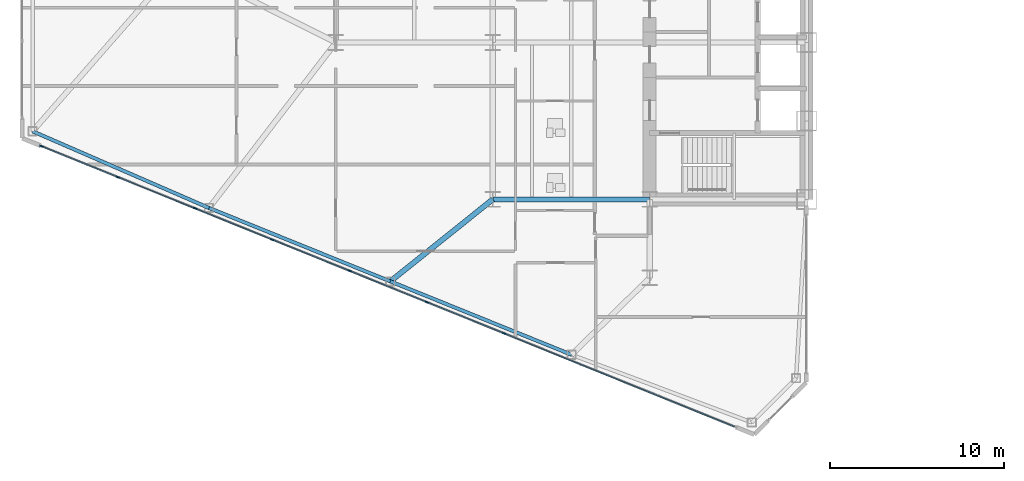
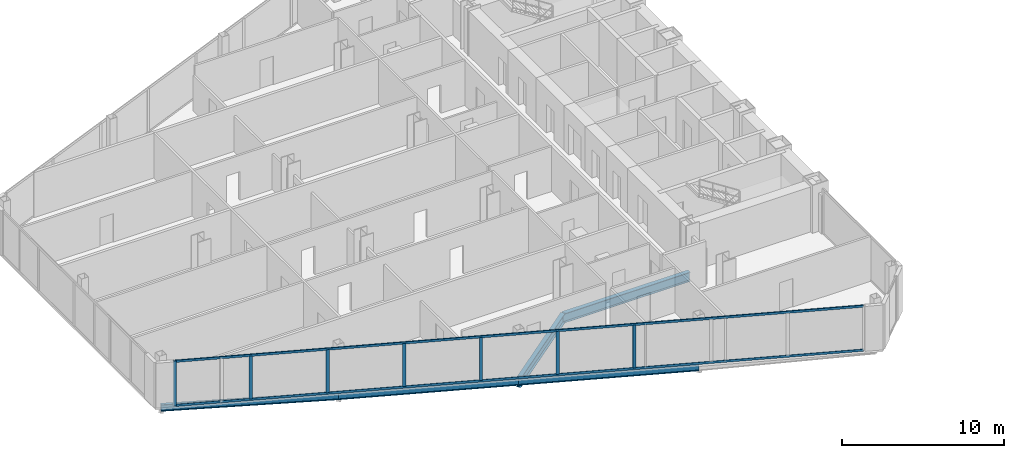
# One storey, part 3 of 25: 9 members, 5 beams, 1 element without a shape of its own.
"""IFC4 building model written with IfcOpenShell, lengths in metres."""

import ifcopenshell
import ifcopenshell.guid

model = None  # the IFC model being written
_history = None  # IfcOwnerHistory: only IFC2X3 demands one
_inside = {}  # id of a spatial element -> (the spatial element, [elements in it])
_under = {}  # id of a project, library or spatial element -> (it, [spatial elements below it])
_declared = {}  # id of a project -> (the project, [libraries it declares])
_typed = {}  # id of a type object -> (the type object, [elements of that type])
_made_of = {}  # id of a material, layer set ... -> (it, [elements and type objects made of it])


def new_model(schema):
    """Start an empty IFC model of exactly this schema.

    Asked for "IFC4X3", IfcOpenShell would pick the latest addendum, in which some entities
    have other attributes; the version numbers below select the first issue.
    IFC2X3 requires an IfcOwnerHistory on every rooted entity: one is made here for all.
    """
    global model, _history
    if schema == "IFC4X3":
        model = ifcopenshell.file(schema_version=(4, 3, 0, 0))
    else:
        model = ifcopenshell.file(schema=schema)
    _inside.clear()
    _under.clear()
    _declared.clear()
    _typed.clear()
    _made_of.clear()
    _history = None
    if model.schema == "IFC2X3":
        org = make("IfcOrganization", Name="unknown")
        user = make(
            "IfcPersonAndOrganization",
            ThePerson=make("IfcPerson", FamilyName="unknown"),
            TheOrganization=org,
        )
        app = make(
            "IfcApplication",
            ApplicationDeveloper=org,
            Version="unknown",
            ApplicationFullName="unknown",
            ApplicationIdentifier="unknown",
        )
        _history = make(
            "IfcOwnerHistory",
            OwningUser=user,
            OwningApplication=app,
            ChangeAction="ADDED",
            CreationDate=0,
        )
    return model


def make(cls, **values):
    """One entity of the class cls with the attributes given. An attribute that is None is left unset."""
    return model.create_entity(
        cls, **{name: value for name, value in values.items() if value is not None}
    )


def rooted(cls, **values):
    """An entity with a GlobalId (a new one), such as an element, a storey or a relation."""
    return make(cls, GlobalId=ifcopenshell.guid.new(), OwnerHistory=_history, **values)


def si_unit(unit_type, name, prefix=None):
    """IfcSIUnit, for example si_unit("LENGTHUNIT", "METRE", prefix="MILLI")."""
    return make("IfcSIUnit", UnitType=unit_type, Prefix=prefix, Name=name)


def assignment(units):
    """IfcUnitAssignment: the units of a project."""
    return None if units is None else make("IfcUnitAssignment", Units=units)


def point(xyz):
    """IfcCartesianPoint."""
    return None if xyz is None else make("IfcCartesianPoint", Coordinates=xyz)


def direction(xyz):
    """IfcDirection."""
    return None if xyz is None else make("IfcDirection", DirectionRatios=xyz)


def frame(location, z_axis=None, x_axis=None):
    """IfcAxis2Placement3D, a coordinate frame: its origin and axes. An axis left out is left unset."""
    return make(
        "IfcAxis2Placement3D",
        Location=point(location),
        Axis=direction(z_axis),
        RefDirection=direction(x_axis),
    )


def frame_2d(location, x_axis=None):
    """IfcAxis2Placement2D, a coordinate frame in the plane: its origin and x axis."""
    return make(
        "IfcAxis2Placement2D", Location=point(location), RefDirection=direction(x_axis)
    )


def origin():
    """The frame at (0, 0, 0) with its axes left unset."""
    return frame((0.0, 0.0, 0.0))


def origin_2d():
    """The frame at (0, 0) in the plane with its x axis left unset."""
    return frame_2d((0.0, 0.0))


def place(relative_to, where):
    """IfcLocalPlacement: puts the frame where relative to a parent placement (None: the world)."""
    return make(
        "IfcLocalPlacement", PlacementRelTo=relative_to, RelativePlacement=where
    )


def context(
    kind, dimensions, precision=None, world=None, true_north=None, identifier=None
):
    """IfcGeometricRepresentationContext, for example the 3D "Model" context."""
    return make(
        "IfcGeometricRepresentationContext",
        ContextIdentifier=identifier,
        ContextType=kind,
        CoordinateSpaceDimension=dimensions,
        Precision=precision,
        WorldCoordinateSystem=world,
        TrueNorth=true_north,
    )


def subcontext(parent, identifier, kind, view, scale=None):
    """IfcGeometricRepresentationSubContext, for example "Body" below "Model"."""
    return make(
        "IfcGeometricRepresentationSubContext",
        ContextIdentifier=identifier,
        ContextType=kind,
        ParentContext=parent,
        TargetScale=scale,
        TargetView=view,
    )


def project(units=None, contexts=None):
    """IfcProject with its units and contexts."""
    return rooted(
        "IfcProject",
        Name="project",
        RepresentationContexts=contexts,
        UnitsInContext=assignment(units),
    )


def spatial(cls, under=None, at=None, **own):
    """A site, building, storey or space (cls), placed at a placement, below another one or the project."""
    s = rooted(cls, ObjectPlacement=at, **own)
    if under is not None:
        _under.setdefault(under.id(), (under, []))[1].append(s)
    return s


def profile(cls, at=None, kind="AREA", **sizes):
    """A parametric profile (cls). Its sizes go by their IFC names, for example OverallWidth=200.0."""
    return make(cls, ProfileType=kind, Position=at, **sizes)


def rectangle(**sizes):
    """IfcRectangleProfileDef."""
    return profile("IfcRectangleProfileDef", **sizes)


def i_section(**sizes):
    """IfcIShapeProfileDef."""
    return profile("IfcIShapeProfileDef", **sizes)


def extrude(swept, where, along, depth):
    """IfcExtrudedAreaSolid: the profile swept, set in the frame where, extruded along a direction by depth."""
    return make(
        "IfcExtrudedAreaSolid",
        SweptArea=swept,
        Position=where,
        ExtrudedDirection=direction(along),
        Depth=depth,
    )


def shape(context_of_items, identifier, shape_type, items):
    """IfcShapeRepresentation: the items that make up one representation, for example the "Body"."""
    return make(
        "IfcShapeRepresentation",
        ContextOfItems=context_of_items,
        RepresentationIdentifier=identifier,
        RepresentationType=shape_type,
        Items=items,
    )


def source(mapping_origin, context_of_items, identifier, shape_type, items):
    """IfcRepresentationMap: a shape defined once, which mapped items show again and again."""
    return make(
        "IfcRepresentationMap",
        MappingOrigin=mapping_origin,
        MappedRepresentation=shape(context_of_items, identifier, shape_type, items),
    )


def transform(
    local_origin,
    x_axis=None,
    y_axis=None,
    z_axis=None,
    scale=None,
    scale2=None,
    scale3=None,
    uniform=True,
):
    """IfcCartesianTransformationOperator3D, or its non-uniform kind. x_axis, y_axis, z_axis: its Axis1, 2, 3."""
    if uniform:
        return make(
            "IfcCartesianTransformationOperator3D",
            Axis1=direction(x_axis),
            Axis2=direction(y_axis),
            LocalOrigin=point(local_origin),
            Scale=scale,
            Axis3=direction(z_axis),
        )
    return make(
        "IfcCartesianTransformationOperator3DnonUniform",
        Axis1=direction(x_axis),
        Axis2=direction(y_axis),
        LocalOrigin=point(local_origin),
        Scale=scale,
        Axis3=direction(z_axis),
        Scale2=scale2,
        Scale3=scale3,
    )


def mapped(mapping_source, mapping_target):
    """IfcMappedItem: shows the shape of a source again, moved by a transform."""
    return make(
        "IfcMappedItem", MappingSource=mapping_source, MappingTarget=mapping_target
    )


def material(Name=None, Category=None):
    """IfcMaterial."""
    return make("IfcMaterial", Name=Name, Category=Category)


def layer(
    of_material, thickness, ventilated=None, Name=None, Category=None, Priority=None
):
    """IfcMaterialLayer: one layer of a wall or slab, of a material (None: an air gap)."""
    return make(
        "IfcMaterialLayer",
        Material=of_material,
        LayerThickness=thickness,
        IsVentilated=ventilated,
        Name=Name,
        Category=Category,
        Priority=Priority,
    )


def layer_set(layers, Name=None):
    """IfcMaterialLayerSet."""
    return make("IfcMaterialLayerSet", MaterialLayers=layers, LayerSetName=Name)


def material_profile(
    of_material, cross_section, Name=None, Category=None, Priority=None
):
    """IfcMaterialProfile: a cross section and its material."""
    return make(
        "IfcMaterialProfile",
        Name=Name,
        Material=of_material,
        Profile=cross_section,
        Priority=Priority,
        Category=Category,
    )


def profile_set(profiles, Name=None, composite=None):
    """IfcMaterialProfileSet."""
    return make(
        "IfcMaterialProfileSet",
        Name=Name,
        MaterialProfiles=profiles,
        CompositeProfile=composite,
    )


def made_of(thing, what):
    """Note that an element or type object is made of a material, layer set ...; save() writes the relation."""
    if what is not None:
        _made_of.setdefault(what.id(), (what, []))[1].append(thing)
    return thing


def type_object(cls, material=None, **own):
    """A type object (cls), such as IfcWallType, which elements share."""
    return made_of(rooted(cls, **own), material)


def type_shapes(of_type, sources):
    """Give a type object the sources (RepresentationMaps) that its elements show as mapped items."""
    of_type.RepresentationMaps = sources


def element(
    cls,
    number,
    at=None,
    inside=None,
    cuts=None,
    type_object=None,
    material=None,
    context=None,
    identifier="Body",
    shape_type=None,
    held_by="IfcProductDefinitionShape",
    body=None,
    shapes=None,
    **own,
):
    """One element of the class cls, such as IfcWall. Its Tag is "e" and its number.

    at: its placement. inside: the storey or other place that contains it. cuts: it is an
    opening in that element (IfcRelVoidsElement). A single representation is given by context,
    identifier, shape_type and body (its items); several are given by shapes. held_by: the class
    of the entity that holds the representations. save() writes the other relations.
    """
    e = rooted(cls, Tag="e%d" % number, ObjectPlacement=at, **own)
    if body is not None:
        shapes = [shape(context, identifier, shape_type, body)]
    if shapes is not None:
        e.Representation = make(held_by, Representations=shapes)
    if inside is not None:
        _inside.setdefault(inside.id(), (inside, []))[1].append(e)
    if cuts is not None:
        rooted(
            "IfcRelVoidsElement", RelatingBuildingElement=cuts, RelatedOpeningElement=e
        )
    if type_object is not None:
        _typed.setdefault(type_object.id(), (type_object, []))[1].append(e)
    return made_of(e, material)


def aggregate(whole, parts):
    """IfcRelAggregates: a whole, such as a stair, and the parts it consists of."""
    return rooted("IfcRelAggregates", RelatingObject=whole, RelatedObjects=parts)


def save(model, path):
    """Write the relations noted so far, then the file.

    IfcRelAggregates (storeys below a building ...), IfcRelContainedInSpatialStructure (elements
    in a storey), IfcRelDefinesByType, IfcRelAssociatesMaterial and IfcRelDeclares: one each for
    every whole, place, type object, material and project.
    """
    for whole, parts in _under.values():
        aggregate(whole, parts)
    for where, things in _inside.values():
        rooted(
            "IfcRelContainedInSpatialStructure",
            RelatedElements=things,
            RelatingStructure=where,
        )
    for kind, things in _typed.values():
        rooted("IfcRelDefinesByType", RelatedObjects=things, RelatingType=kind)
    for what, things in _made_of.values():
        rooted("IfcRelAssociatesMaterial", RelatedObjects=things, RelatingMaterial=what)
    for by, libraries in _declared.values():
        rooted("IfcRelDeclares", RelatingContext=by, RelatedDefinitions=libraries)
    model.write(path)


model = new_model("IFC4")

# Units and contexts
model_context = context("Model", 3, precision=1e-05, world=origin(), true_north=direction((0.0, 1.0)))
body_context = subcontext(model_context, "Body", "Model", "MODEL_VIEW")
ifc_project = project(units=[si_unit("LENGTHUNIT", "METRE"), si_unit("AREAUNIT", "SQUARE_METRE"), si_unit("VOLUMEUNIT", "CUBIC_METRE"), si_unit("PLANEANGLEUNIT", "RADIAN"), si_unit("MASSUNIT", "GRAM", prefix="KILO")], contexts=[model_context])

# Site, building, storey
site_placement = place(None, origin())
site = spatial("IfcSite", under=ifc_project, at=site_placement, CompositionType="ELEMENT")
building_placement = place(site_placement, origin())
building = spatial("IfcBuilding", under=site, at=building_placement, Name="Seokmaru Belvedere", CompositionType="ELEMENT")
storey_placement = place(building_placement, frame((0.0, 0.0, 29.699951171875)))
storey = spatial("IfcBuildingStorey", under=building, at=storey_placement, Name="L07", CompositionType="ELEMENT", Elevation=29.699951171875)

# Beams
ifc_material_1 = material(Name="Steel SM355 (355 MPa)", Category="steel")
ifc_material_profile_1 = material_profile(ifc_material_1, i_section(OverallWidth=0.300048828125, OverallDepth=0.699951171875, WebThickness=0.012939453125, FlangeThickness=0.02392578125, at=origin_2d()), Name="H-700x300x13x24")
ifc_profile_set_1 = profile_set([ifc_material_profile_1], Name="Steel SM355 (355 MPa)")
beam_type_1 = type_object("IfcBeamType", Name="Primary Floor Girder H-700", PredefinedType="BEAM", material=ifc_profile_set_1)
shared_shape_1 = source(origin(), body_context, "Body", "SweptSolid", [
    extrude(i_section(OverallWidth=0.300048828125, OverallDepth=0.699951171875, WebThickness=0.012939453125, FlangeThickness=0.02392578125, at=origin_2d()), origin(), (0.0, 0.0, 1.0), 9.0),
])
beam_1_placement = place(storey_placement, frame((-45.5, -13.5, -0.570068359375), z_axis=(1.0, 0.0, 0.0), x_axis=(0.0, 1.0, 0.0)))
element("IfcBeam", 1, at=beam_1_placement, inside=storey, type_object=beam_type_1, Name="L07 W Wing Primary Girder 1", PredefinedType="BEAM", context=body_context, shape_type="MappedRepresentation", body=[
    mapped(shared_shape_1, transform((0.0, 0.0, 0.0), scale=1.0)),
])
ifc_material_profile_2 = material_profile(ifc_material_1, i_section(OverallWidth=0.199951171875, OverallDepth=0.5, WebThickness=0.010009765625, FlangeThickness=0.01611328125, at=origin_2d()), Name="H-500x200x10x16")
ifc_profile_set_2 = profile_set([ifc_material_profile_2], Name="Steel SM355 (355 MPa)")
beam_type_2 = type_object("IfcBeamType", Name="Perimeter Spandrel Beam H-500", PredefinedType="SPANDREL", material=ifc_profile_set_2)
shared_shape_2 = source(origin(), body_context, "Body", "SweptSolid", [
    extrude(i_section(OverallWidth=0.199951171875, OverallDepth=0.5, WebThickness=0.010009765625, FlangeThickness=0.01611328125, at=origin_2d()), origin(), (0.0, 0.0, 1.0), 11.220703125),
])
for number, where, z_axis, x_axis, name in (
    (2, (-40.977294921875, -22.4140625, -0.469970703125), (-0.926944290816, 0.375198989503, 0.0), (-0.375198989503, -0.926944290816, 0.0), "L07 W Faceted Flank Spandrel S-2"),
    (3, (-51.378173828125, -18.2041015625, -0.469970703125), (-0.926944290816, 0.375198989503, 0.0), (-0.375198989503, -0.926944290816, 0.0), "L07 W Faceted Flank Spandrel S-3"),
):
    element("IfcBeam", number, at=place(storey_placement, frame(where, z_axis=z_axis, x_axis=x_axis)), inside=storey, type_object=beam_type_2, Name=name, PredefinedType="SPANDREL", context=body_context, shape_type="MappedRepresentation", body=[
        mapped(shared_shape_2, transform((0.0, 0.0, 0.0), scale=1.0)),
    ])
shared_shape_3 = source(origin(), body_context, "Body", "SweptSolid", [
    extrude(i_section(OverallWidth=0.199951171875, OverallDepth=0.5, WebThickness=0.010009765625, FlangeThickness=0.01611328125, at=origin_2d()), origin(), (0.0, 0.0, 1.0), 11.035400390625),
])
type_shapes(beam_type_2, [shared_shape_2, shared_shape_3])
beam_2_placement = place(storey_placement, frame((-61.779052734375, -13.994140625, -0.469970703125), z_axis=(-0.917134058682, 0.398578873507, 0.0), x_axis=(-0.398578873507, -0.917134058682, 0.0)))
element("IfcBeam", 4, at=beam_2_placement, inside=storey, type_object=beam_type_2, Name="L07 W Faceted Flank Spandrel S-4", PredefinedType="SPANDREL", context=body_context, shape_type="MappedRepresentation", body=[
    mapped(shared_shape_3, transform((0.0, 0.0, 0.0), scale=1.0)),
])
shared_shape_4 = source(origin(), body_context, "Body", "SweptSolid", [
    extrude(i_section(OverallWidth=0.300048828125, OverallDepth=0.699951171875, WebThickness=0.012939453125, FlangeThickness=0.02392578125, at=origin_2d()), origin(), (0.0, 0.0, 1.0), 7.52880859375),
])
type_shapes(beam_type_1, [shared_shape_1, shared_shape_4])
beam_3_placement = place(storey_placement, frame((-51.378173828125, -18.2041015625, -0.570068359375), z_axis=(0.780767560736, 0.624821587418, 0.0), x_axis=(-0.624821587418, 0.780767560736, 0.0)))
element("IfcBeam", 5, at=beam_3_placement, inside=storey, type_object=beam_type_1, Name="L07 W Flank Radial Floor Girder S-2", PredefinedType="BEAM", context=body_context, shape_type="MappedRepresentation", body=[
    mapped(shared_shape_4, transform((0.0, 0.0, 0.0), scale=1.0)),
])

# Curtain wall, members
ifc_material_2 = material(Name="Bronze Triple Insulating Glass", Category="glass")
ifc_layer = layer(ifc_material_2, 0.2099609375)
ifc_layer_set = layer_set([ifc_layer], Name="Bronze Triple Insulating Glass")
curtain_wall_type = type_object("IfcCurtainWallType", Name="Low-Rise Faceted Crystal Curtain Wall System CW-2", PredefinedType="NOTDEFINED", material=ifc_layer_set)
curtain_wall_placement = place(storey_placement, origin())
curtain_wall = element("IfcCurtainWall", 6, at=curtain_wall_placement, inside=storey, type_object=curtain_wall_type, Name="L07 Curtain Wall WF5", PredefinedType="NOTDEFINED")
ifc_material_3 = material(Name="Anodised Bronze Aluminium", Category="aluminium")
ifc_material_profile_3 = material_profile(ifc_material_3, rectangle(XDim=0.074951171875, YDim=0.2099609375, at=origin_2d()), Name="CW-M-75x210")
ifc_profile_set_3 = profile_set([ifc_material_profile_3], Name="Anodised Bronze Aluminium")
member_type_1 = type_object("IfcMemberType", Name="Bronze Unitised Mullion 75x210", PredefinedType="MULLION", material=ifc_profile_set_3)
shared_shape_5 = source(origin(), body_context, "Body", "SweptSolid", [
    extrude(rectangle(XDim=0.074951171875, YDim=0.2099609375, at=origin_2d()), origin(), (0.0, 0.0, 1.0), 3.380126953125),
])
member_1_placement = place(storey_placement, frame((-71.399169921875, -10.445556640625, 0.0), z_axis=(0.0, 0.0, 1.0), x_axis=(0.375192321888, 0.926946989637, 0.0)))
member_1 = element("IfcMember", 7, at=member_1_placement, type_object=member_type_1, Name="CW:L07:WF5 Mullion 1", PredefinedType="MULLION", context=body_context, shape_type="MappedRepresentation", body=[
    mapped(shared_shape_5, transform((0.0, 0.0, 0.0), scale=1.0)),
])
shared_shape_6 = source(origin(), body_context, "Body", "SweptSolid", [
    extrude(rectangle(XDim=0.074951171875, YDim=0.2099609375, at=origin_2d()), origin(), (0.0, 0.0, 1.0), 3.239990234375),
])
type_shapes(member_type_1, [shared_shape_5, shared_shape_6])
member_2_placement = place(storey_placement, frame((-67.004150390625, -12.224609375, 0.070068359375), z_axis=(0.0, 0.0, 1.0), x_axis=(0.375192321888, 0.926946989637, 0.0)))
member_2 = element("IfcMember", 8, at=member_2_placement, type_object=member_type_1, Name="CW:L07:WF5 Mullion 2", PredefinedType="MULLION", context=body_context, shape_type="MappedRepresentation", body=[
    mapped(shared_shape_6, transform((0.0, 0.0, 0.0), scale=1.0)),
])
member_3_placement = place(storey_placement, frame((-62.574462890625, -14.017578125, 0.070068359375), z_axis=(0.0, 0.0, 1.0), x_axis=(0.375192321888, 0.926946989637, 0.0)))
member_3 = element("IfcMember", 9, at=member_3_placement, type_object=member_type_1, Name="CW:L07:WF5 Mullion 3", PredefinedType="MULLION", context=body_context, shape_type="MappedRepresentation", body=[
    mapped(shared_shape_6, transform((0.0, 0.0, 0.0), scale=1.0)),
])
member_4_placement = place(storey_placement, frame((-58.144775390625, -15.810546875, 0.070068359375), z_axis=(0.0, 0.0, 1.0), x_axis=(0.375192321888, 0.926946989637, 0.0)))
member_4 = element("IfcMember", 10, at=member_4_placement, type_object=member_type_1, Name="CW:L07:WF5 Mullion 4", PredefinedType="MULLION", context=body_context, shape_type="MappedRepresentation", body=[
    mapped(shared_shape_6, transform((0.0, 0.0, 0.0), scale=1.0)),
])
member_5_placement = place(storey_placement, frame((-53.71484375, -17.603515625, 0.070068359375), z_axis=(0.0, 0.0, 1.0), x_axis=(0.375192321888, 0.926946989637, 0.0)))
member_5 = element("IfcMember", 11, at=member_5_placement, type_object=member_type_1, Name="CW:L07:WF5 Mullion 5", PredefinedType="MULLION", context=body_context, shape_type="MappedRepresentation", body=[
    mapped(shared_shape_6, transform((0.0, 0.0, 0.0), scale=1.0)),
])
member_6_placement = place(storey_placement, frame((-49.28515625, -19.396484375, 0.070068359375), z_axis=(0.0, 0.0, 1.0), x_axis=(0.375192321888, 0.926946989637, 0.0)))
member_6 = element("IfcMember", 12, at=member_6_placement, type_object=member_type_1, Name="CW:L07:WF5 Mullion 6", PredefinedType="MULLION", context=body_context, shape_type="MappedRepresentation", body=[
    mapped(shared_shape_6, transform((0.0, 0.0, 0.0), scale=1.0)),
])
member_7_placement = place(storey_placement, frame((-44.855224609375, -21.189453125, 0.070068359375), z_axis=(0.0, 0.0, 1.0), x_axis=(0.375192321888, 0.926946989637, 0.0)))
member_7 = element("IfcMember", 13, at=member_7_placement, type_object=member_type_1, Name="CW:L07:WF5 Mullion 7", PredefinedType="MULLION", context=body_context, shape_type="MappedRepresentation", body=[
    mapped(shared_shape_6, transform((0.0, 0.0, 0.0), scale=1.0)),
])
ifc_material_profile_4 = material_profile(ifc_material_3, rectangle(XDim=0.070068359375, YDim=0.1650390625, at=origin_2d()), Name="CW-T-70x165")
ifc_profile_set_4 = profile_set([ifc_material_profile_4], Name="Anodised Bronze Aluminium")
member_type_2 = type_object("IfcMemberType", Name="Bronze Unitised Transom 70x165", PredefinedType="USERDEFINED", material=ifc_profile_set_4)
shared_shape_7 = source(origin(), body_context, "Body", "SweptSolid", [
    extrude(rectangle(XDim=0.070068359375, YDim=0.1650390625, at=origin_2d()), origin(), (0.0, 0.0, 1.0), 42.860107421875),
])
type_shapes(member_type_2, [shared_shape_7])
member_8_placement = place(storey_placement, frame((-71.364501953125, -10.459716796875, 0.03515625), z_axis=(0.926948605599, -0.375188329481, 0.0), x_axis=(0.375188329481, 0.926948605599, 0.0)))
member_8 = element("IfcMember", 14, at=member_8_placement, type_object=member_type_2, Name="CW:L07:WF5 Continuous Transom 1", ObjectType="TRANSOM", PredefinedType="USERDEFINED", context=body_context, shape_type="MappedRepresentation", body=[
    mapped(shared_shape_7, transform((0.0, 0.0, 0.0), scale=1.0)),
])
member_9_placement = place(storey_placement, frame((-71.364501953125, -10.459716796875, 3.344970703125), z_axis=(0.926948605599, -0.375188329481, 0.0), x_axis=(0.375188329481, 0.926948605599, 0.0)))
member_9 = element("IfcMember", 15, at=member_9_placement, type_object=member_type_2, Name="CW:L07:WF5 Continuous Transom 2", ObjectType="TRANSOM", PredefinedType="USERDEFINED", context=body_context, shape_type="MappedRepresentation", body=[
    mapped(shared_shape_7, transform((0.0, 0.0, 0.0), scale=1.0)),
])
aggregate(curtain_wall, [member_1, member_2, member_3, member_4, member_5, member_6, member_7, member_8, member_9])

save(model, "model.ifc")
